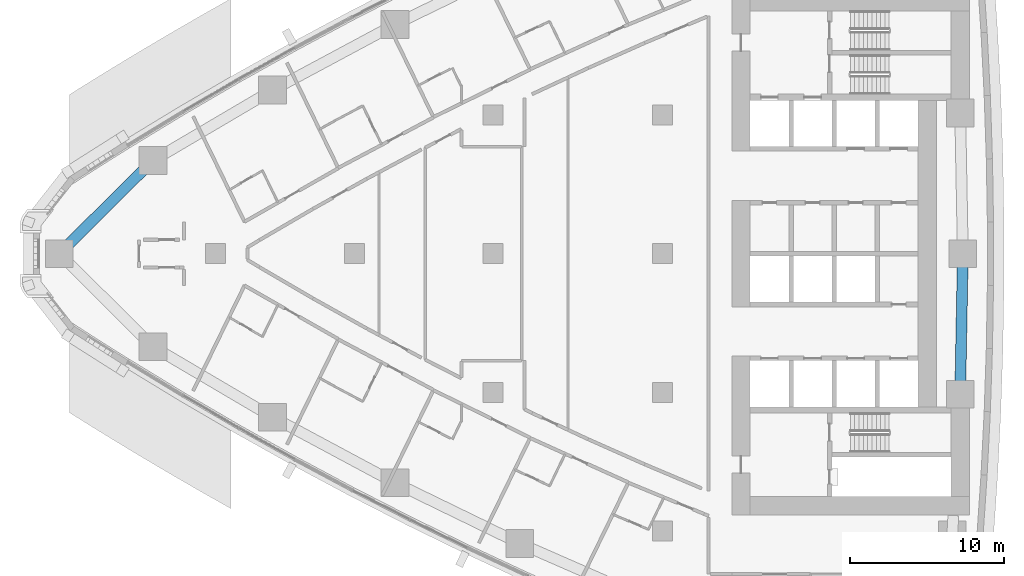
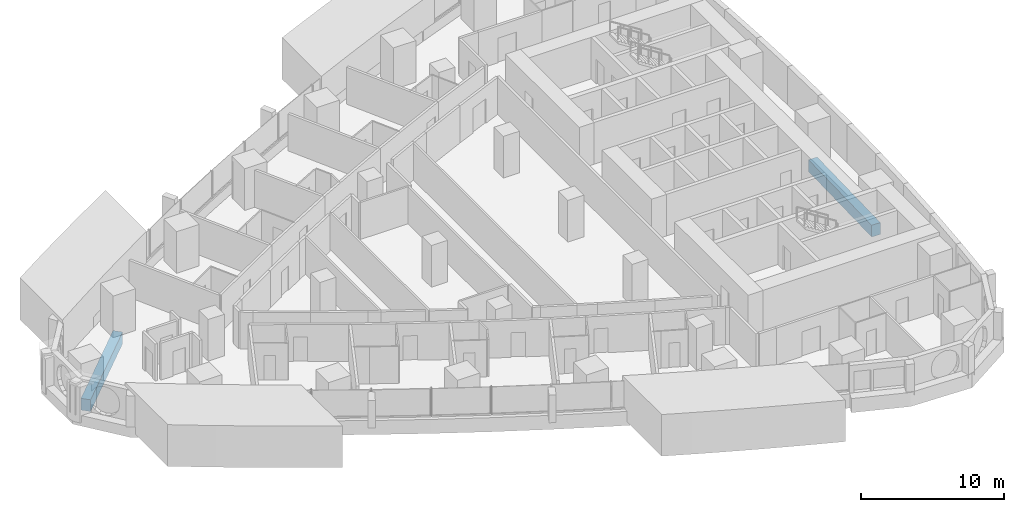
# One storey, part 4 of 19: 2 beams.
"""IFC4 building model written with IfcOpenShell, lengths in metres."""

from ifc_helpers import new_model, si_unit, direction, frame, origin, origin_2d, place, context, subcontext, project, spatial, rectangle, extrude, material, material_profile, profile_set, type_object, element, save


model = new_model("IFC4")

# Units and contexts
model_context = context("Model", 3, precision=1e-05, world=origin(), true_north=direction((0.0, 1.0)))
body_context = subcontext(model_context, "Body", "Model", "MODEL_VIEW")
ifc_project = project(units=[si_unit("LENGTHUNIT", "METRE"), si_unit("AREAUNIT", "SQUARE_METRE"), si_unit("VOLUMEUNIT", "CUBIC_METRE"), si_unit("PLANEANGLEUNIT", "RADIAN"), si_unit("MASSUNIT", "GRAM", prefix="KILO")], contexts=[model_context])

# Site, building, storey
site_placement = place(None, origin())
site = spatial("IfcSite", under=ifc_project, at=site_placement, CompositionType="ELEMENT")
building_placement = place(site_placement, origin())
building = spatial("IfcBuilding", under=site, at=building_placement, Name="Ostrand Prow Hotel Tower", CompositionType="ELEMENT")
storey_placement = place(building_placement, frame((0.0, 0.0, 71.550048828125)))
storey = spatial("IfcBuildingStorey", under=building, at=storey_placement, Name="L16", CompositionType="ELEMENT", Elevation=71.550048828125)

# Beams
ifc_material = material(Name="Concrete C80/95", Category="concrete")
ifc_material_profile = material_profile(ifc_material, rectangle(XDim=0.699951171875, YDim=1.0, at=origin_2d()), Name="RC 700x1000")
ifc_profile_set = profile_set([ifc_material_profile], Name="Concrete C80/95")
beam_type = type_object("IfcBeamType", Name="Edge beam 700x1000 C80/95", PredefinedType="SPANDREL", material=ifc_profile_set)
beam_1_placement = place(storey_placement, frame((64.328369140625, -9.130859375, -0.800048828125), z_axis=(0.018793471688, 0.999823387115, 0.0), x_axis=(-0.999823387115, 0.018793471688, 0.0)))
element("IfcBeam", 1, at=beam_1_placement, inside=storey, type_object=beam_type, Name="Edge beam B2-B3", PredefinedType="SPANDREL", context=body_context, shape_type="SweptSolid", body=[
    extrude(rectangle(XDim=0.699951171875, YDim=1.0, at=origin_2d()), origin(), (0.0, 0.0, 1.0), 9.132568359375),
])
beam_2_placement = place(storey_placement, frame((11.926513671875, 6.0419921875, -0.800048828125), z_axis=(-0.709211674915, -0.70499560294, 0.0), x_axis=(0.70499560294, -0.709211674915, 0.0)))
element("IfcBeam", 2, at=beam_2_placement, inside=storey, type_object=beam_type, Name="Edge beam N6-P", PredefinedType="SPANDREL", context=body_context, shape_type="SweptSolid", body=[
    extrude(rectangle(XDim=0.699951171875, YDim=1.0, at=origin_2d()), origin(), (0.0, 0.0, 1.0), 8.5703125),
])

save(model, "model.ifc")
